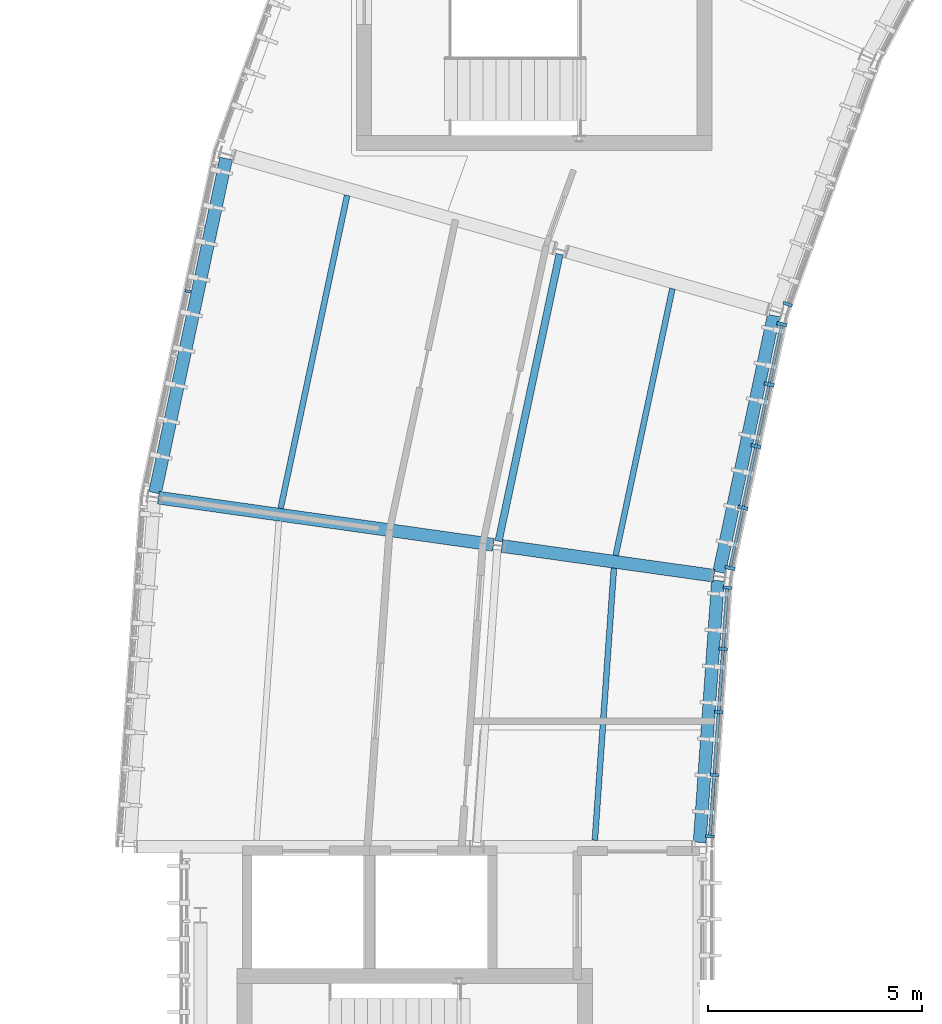
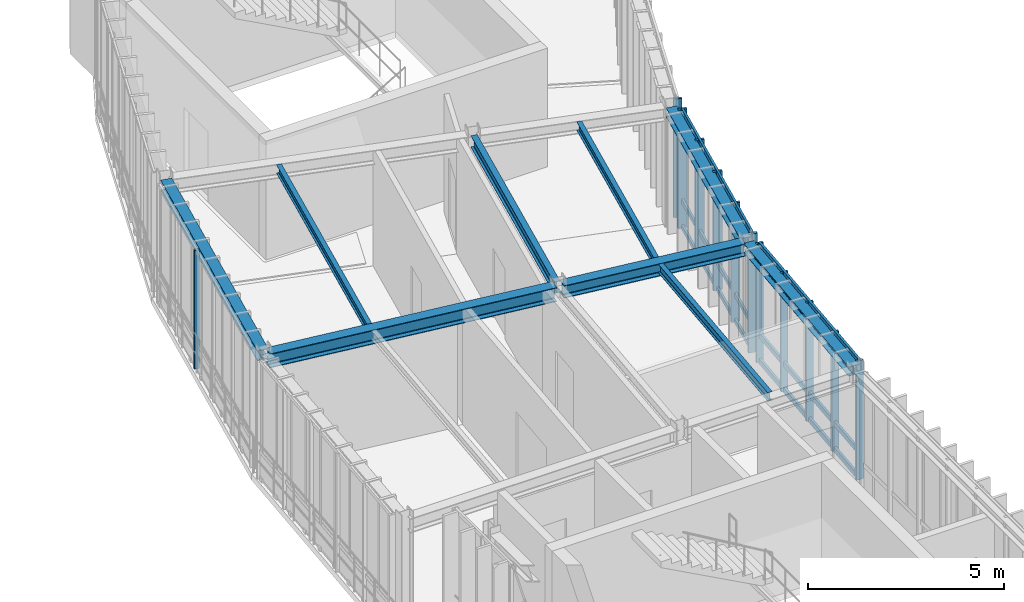
# One storey, part 9 of 41: 18 members, 9 beams, 4 elements without a shape of their own.
"""IFC4 building model written with IfcOpenShell, lengths in metres."""

from ifc_helpers import new_model, si_unit, direction, frame, origin, origin_2d, place, context, subcontext, project, spatial, rectangle, i_section, extrude, material, layer, layer_set, material_profile, profile_set, type_object, element, aggregate, save


model = new_model("IFC4")

# Units and contexts
model_context = context("Model", 3, precision=1e-05, world=origin(), true_north=direction((0.0, 1.0)))
body_context = subcontext(model_context, "Body", "Model", "MODEL_VIEW")
ifc_project = project(units=[si_unit("LENGTHUNIT", "METRE"), si_unit("AREAUNIT", "SQUARE_METRE"), si_unit("VOLUMEUNIT", "CUBIC_METRE"), si_unit("PLANEANGLEUNIT", "RADIAN"), si_unit("MASSUNIT", "GRAM", prefix="KILO"), si_unit("THERMODYNAMICTEMPERATUREUNIT", "KELVIN"), si_unit("POWERUNIT", "WATT")], contexts=[model_context])

# Site, building, storey
site_placement = place(None, origin())
site = spatial("IfcSite", under=ifc_project, at=site_placement, CompositionType="ELEMENT")
building_placement = place(site_placement, origin())
building = spatial("IfcBuilding", under=site, at=building_placement, Name="Solvatero Civic Police Headquarters", CompositionType="ELEMENT")
storey_placement = place(building_placement, frame((0.0, 0.0, 17.699951171875)))
storey = spatial("IfcBuildingStorey", under=building, at=storey_placement, Name="L04", CompositionType="ELEMENT", Elevation=17.699951171875)

# Beams
ifc_material_1 = material(Name="Steel S355", Category="steel")
ifc_material_profile_1 = material_profile(ifc_material_1, i_section(OverallWidth=0.300048828125, OverallDepth=0.2900390625, WebThickness=0.008544921875, FlangeThickness=0.013916015625, FilletRadius=0.027099609375, at=origin_2d()), Name="HEA 300")
ifc_profile_set_1 = profile_set([ifc_material_profile_1], Name="Steel S355")
beam_type_1 = type_object("IfcBeamType", Name="BM-ST-HEA300", PredefinedType="SPANDREL", material=ifc_profile_set_1)
beam_1_placement = place(storey_placement, frame((50.385986328125, 38.40234375, 3.554931640625), z_axis=(-0.207917848731, -0.978146291809, 0.0), x_axis=(0.978146291809, -0.207917848731, 0.0)))
element("IfcBeam", 1, at=beam_1_placement, inside=storey, type_object=beam_type_1, Name="Perimeter / radial spandrel beam BM-R2-L04-ARC-CIN-B11", PredefinedType="SPANDREL", context=body_context, shape_type="SweptSolid", body=[
    extrude(i_section(OverallWidth=0.300048828125, OverallDepth=0.2900390625, WebThickness=0.008544921875, FlangeThickness=0.013916015625, FilletRadius=0.027099609375, at=origin_2d()), origin(), (0.0, 0.0, 1.0), 6.126953125),
])
beam_2_placement = place(storey_placement, frame((49.084228515625, 32.211669921875, 3.554931640625), z_axis=(-0.069734750573, -0.997565569054, 0.0), x_axis=(0.997565569054, -0.069734750573, 0.0)))
element("IfcBeam", 2, at=beam_2_placement, inside=storey, type_object=beam_type_1, Name="Perimeter / radial spandrel beam BM-R2-L04-ARC-CIN-B12", PredefinedType="SPANDREL", context=body_context, shape_type="SweptSolid", body=[
    extrude(i_section(OverallWidth=0.300048828125, OverallDepth=0.2900390625, WebThickness=0.008544921875, FlangeThickness=0.013916015625, FilletRadius=0.027099609375, at=origin_2d()), origin(), (0.0, 0.0, 1.0), 6.126708984375),
])
ifc_material_profile_2 = material_profile(ifc_material_1, i_section(OverallWidth=0.300048828125, OverallDepth=0.31005859375, WebThickness=0.009033203125, FlangeThickness=0.015380859375, FilletRadius=0.027099609375, at=origin_2d()), Name="HEA 320")
ifc_profile_set_2 = profile_set([ifc_material_profile_2], Name="Steel S355")
beam_type_2 = type_object("IfcBeamType", Name="BM-ST-HEA320", PredefinedType="SPANDREL", material=ifc_profile_set_2)
beam_3_placement = place(storey_placement, frame((37.601318359375, 42.068359375, 3.545166015625), z_axis=(-0.207912160321, -0.978147500938, 0.0), x_axis=(0.978147500938, -0.207912160321, 0.0)))
element("IfcBeam", 3, at=beam_3_placement, inside=storey, type_object=beam_type_2, Name="Perimeter / radial spandrel beam BM-R2-L04-ARC-COUT-B11", PredefinedType="SPANDREL", context=body_context, shape_type="SweptSolid", body=[
    extrude(i_section(OverallWidth=0.300048828125, OverallDepth=0.31005859375, WebThickness=0.009033203125, FlangeThickness=0.015380859375, FilletRadius=0.027099609375, at=origin_2d()), origin(), (0.0, 0.0, 1.0), 7.982666015625),
])
ifc_material_profile_3 = material_profile(ifc_material_1, i_section(OverallWidth=0.300048828125, OverallDepth=0.389892578125, WebThickness=0.010986328125, FlangeThickness=0.01904296875, FilletRadius=0.027099609375, at=origin_2d()), Name="HEA 400")
ifc_profile_set_3 = profile_set([ifc_material_profile_3], Name="Steel S355")
beam_type_3 = type_object("IfcBeamType", Name="BM-ST-HEA400", PredefinedType="BEAM", material=ifc_profile_set_3)
beam_4_placement = place(storey_placement, frame((48.9921875, 32.325439453125, 3.505126953125), z_axis=(-0.990269200152, 0.139165050317, 0.0), x_axis=(-0.139165050317, -0.990269200152, 0.0)))
element("IfcBeam", 4, at=beam_4_placement, inside=storey, type_object=beam_type_3, Name="Primary girder BM-R2-L04-ARC-RAD1-S11", PredefinedType="BEAM", context=body_context, shape_type="SweptSolid", body=[
    extrude(i_section(OverallWidth=0.300048828125, OverallDepth=0.389892578125, WebThickness=0.010986328125, FlangeThickness=0.01904296875, FilletRadius=0.027099609375, at=origin_2d()), origin(), (0.0, 0.0, 1.0), 4.999755859375),
])
ifc_material_profile_4 = material_profile(ifc_material_1, i_section(OverallWidth=0.300048828125, OverallDepth=0.43994140625, WebThickness=0.011474609375, FlangeThickness=0.02099609375, FilletRadius=0.027099609375, at=origin_2d()), Name="HEA 450")
ifc_profile_set_4 = profile_set([ifc_material_profile_4], Name="Steel S355")
beam_type_4 = type_object("IfcBeamType", Name="BM-ST-HEA450", PredefinedType="BEAM", material=ifc_profile_set_4)
beam_5_placement = place(storey_placement, frame((43.843017578125, 33.049072265625, 3.47998046875), z_axis=(-0.990265898664, 0.139188540993, 0.0), x_axis=(-0.139188540993, -0.990265898664, 0.0)))
element("IfcBeam", 5, at=beam_5_placement, inside=storey, type_object=beam_type_4, Name="Primary girder BM-R2-L04-ARC-RAD2-S11", PredefinedType="BEAM", context=body_context, shape_type="SweptSolid", body=[
    extrude(i_section(OverallWidth=0.300048828125, OverallDepth=0.43994140625, WebThickness=0.011474609375, FlangeThickness=0.02099609375, FilletRadius=0.027099609375, at=origin_2d()), origin(), (0.0, 0.0, 1.0), 7.900146484375),
])
ifc_material_profile_5 = material_profile(ifc_material_1, i_section(OverallWidth=0.135009765625, OverallDepth=0.27001953125, WebThickness=0.006591796875, FlangeThickness=0.01025390625, FilletRadius=0.014892578125, at=origin_2d()), Name="IPE 270")
ifc_profile_set_5 = profile_set([ifc_material_profile_5], Name="Steel S355")
beam_type_5 = type_object("IfcBeamType", Name="BM-ST-IPE270", PredefinedType="BEAM", material=ifc_profile_set_5)
beam_6_placement = place(storey_placement, frame((48.0205078125, 39.02880859375, 3.56494140625), z_axis=(-0.207926610171, -0.978144429409, 0.0), x_axis=(0.978144429409, -0.207926610171, 0.0)))
element("IfcBeam", 6, at=beam_6_placement, inside=storey, type_object=beam_type_5, Name="Composite floor beam BM-R2-L04-ARC-CS1-B11", PredefinedType="BEAM", context=body_context, shape_type="SweptSolid", body=[
    extrude(i_section(OverallWidth=0.135009765625, OverallDepth=0.27001953125, WebThickness=0.006591796875, FlangeThickness=0.01025390625, FilletRadius=0.014892578125, at=origin_2d()), origin(), (0.0, 0.0, 1.0), 6.36865234375),
])
beam_7_placement = place(storey_placement, frame((40.426513671875, 41.206298828125, 3.56494140625), z_axis=(-0.207904092949, -0.97814921568, 0.0), x_axis=(0.97814921568, -0.207904092949, 0.0)))
element("IfcBeam", 7, at=beam_7_placement, inside=storey, type_object=beam_type_5, Name="Composite floor beam BM-R2-L04-ARC-CS2-B11", PredefinedType="BEAM", context=body_context, shape_type="SweptSolid", body=[
    extrude(i_section(OverallWidth=0.135009765625, OverallDepth=0.27001953125, WebThickness=0.006591796875, FlangeThickness=0.01025390625, FilletRadius=0.014892578125, at=origin_2d()), origin(), (0.0, 0.0, 1.0), 7.470947265625),
])
beam_8_placement = place(storey_placement, frame((46.65478515625, 32.5029296875, 3.56494140625), z_axis=(-0.069767710919, -0.997563264416, 0.0), x_axis=(0.997563264416, -0.069767710919, 0.0)))
element("IfcBeam", 8, at=beam_8_placement, inside=storey, type_object=beam_type_5, Name="Composite floor beam BM-R2-L04-ARC-CS1-B12", PredefinedType="BEAM", context=body_context, shape_type="SweptSolid", body=[
    extrude(i_section(OverallWidth=0.135009765625, OverallDepth=0.27001953125, WebThickness=0.006591796875, FlangeThickness=0.01025390625, FilletRadius=0.014892578125, at=origin_2d()), origin(), (0.0, 0.0, 1.0), 6.368896484375),
])
ifc_material_profile_6 = material_profile(ifc_material_1, i_section(OverallWidth=0.169921875, OverallDepth=0.360107421875, WebThickness=0.008056640625, FlangeThickness=0.0126953125, FilletRadius=0.01806640625, at=origin_2d()), Name="IPE 360")
ifc_profile_set_6 = profile_set([ifc_material_profile_6], Name="Steel S355")
beam_type_6 = type_object("IfcBeamType", Name="BM-ST-IPE360", PredefinedType="BEAM", material=ifc_profile_set_6)
beam_9_placement = place(storey_placement, frame((45.387451171875, 39.835693359375, 3.52001953125), z_axis=(-0.207927785808, -0.9781441795, 0.0), x_axis=(0.9781441795, -0.207927785808, 0.0)))
element("IfcBeam", 9, at=beam_9_placement, inside=storey, type_object=beam_type_6, Name="Composite floor beam BM-R2-L04-ARC-CMID-B11", PredefinedType="BEAM", context=body_context, shape_type="SweptSolid", body=[
    extrude(i_section(OverallWidth=0.169921875, OverallDepth=0.360107421875, WebThickness=0.008056640625, FlangeThickness=0.0126953125, FilletRadius=0.01806640625, at=origin_2d()), origin(), (0.0, 0.0, 1.0), 6.852294921875),
])

# Curtain wall, members
ifc_material_2 = material(Name="Anodized Bronze Aluminium", Category="aluminium")
ifc_layer_1 = layer(ifc_material_2, 0.179931640625)
ifc_layer_set_1 = layer_set([ifc_layer_1], Name="Anodized Bronze Aluminium")
curtain_wall_type_1 = type_object("IfcCurtainWallType", Name="CW-ARC-IN", PredefinedType="USERDEFINED", material=ifc_layer_set_1)
curtain_wall_1_placement = place(storey_placement, origin())
curtain_wall_1 = element("IfcCurtainWall", 10, at=curtain_wall_1_placement, inside=storey, type_object=curtain_wall_type_1, Name="Curtain Wall CW-R2-L04-ARC-IN-B11", ObjectType="UNITISED", PredefinedType="USERDEFINED")
ifc_material_profile_7 = material_profile(ifc_material_2, rectangle(XDim=0.080078125, YDim=0.239990234375, at=origin_2d()), Name="ALU MULLION 80x240")
ifc_profile_set_7 = profile_set([ifc_material_profile_7], Name="Anodized Bronze Aluminium")
member_type_1 = type_object("IfcMemberType", Name="CWM-140x60", PredefinedType="MULLION", material=ifc_profile_set_7)
member_1_placement = place(storey_placement, frame((50.5771484375, 38.1982421875, 0.0), z_axis=(0.0, 0.0, 1.0), x_axis=(-0.207911690818, -0.978147600734, 0.0)))
member_1 = element("IfcMember", 11, at=member_1_placement, type_object=member_type_1, Name="CW-R2-L04-ARC-IN-B11 Mullion 1", PredefinedType="MULLION", context=body_context, shape_type="SweptSolid", body=[
    extrude(rectangle(XDim=0.080078125, YDim=0.239990234375, at=origin_2d()), origin(), (0.0, 0.0, 1.0), 3.699951171875),
])
member_2_placement = place(storey_placement, frame((50.279052734375, 36.79541015625, 0.0), z_axis=(0.0, 0.0, 1.0), x_axis=(-0.207911690818, -0.978147600734, 0.0)))
member_2 = element("IfcMember", 12, at=member_2_placement, type_object=member_type_1, Name="CW-R2-L04-ARC-IN-B11 Mullion 2", PredefinedType="MULLION", context=body_context, shape_type="SweptSolid", body=[
    extrude(rectangle(XDim=0.080078125, YDim=0.239990234375, at=origin_2d()), origin(), (0.0, 0.0, 1.0), 3.699951171875),
])
member_3_placement = place(storey_placement, frame((49.972412109375, 35.353271484375, 0.0), z_axis=(0.0, 0.0, 1.0), x_axis=(-0.207911690818, -0.978147600734, 0.0)))
member_3 = element("IfcMember", 13, at=member_3_placement, type_object=member_type_1, Name="CW-R2-L04-ARC-IN-B11 Mullion 3", PredefinedType="MULLION", context=body_context, shape_type="SweptSolid", body=[
    extrude(rectangle(XDim=0.080078125, YDim=0.239990234375, at=origin_2d()), origin(), (0.0, 0.0, 1.0), 3.699951171875),
])
member_4_placement = place(storey_placement, frame((49.666015625, 33.9111328125, 0.0), z_axis=(0.0, 0.0, 1.0), x_axis=(-0.207911690818, -0.978147600734, 0.0)))
member_4 = element("IfcMember", 14, at=member_4_placement, type_object=member_type_1, Name="CW-R2-L04-ARC-IN-B11 Mullion 4", PredefinedType="MULLION", context=body_context, shape_type="SweptSolid", body=[
    extrude(rectangle(XDim=0.080078125, YDim=0.239990234375, at=origin_2d()), origin(), (0.0, 0.0, 1.0), 3.699951171875),
])
member_5_placement = place(storey_placement, frame((49.36767578125, 32.50830078125, 0.0), z_axis=(0.0, 0.0, 1.0), x_axis=(-0.207911690818, -0.978147600734, 0.0)))
member_5 = element("IfcMember", 15, at=member_5_placement, type_object=member_type_1, Name="CW-R2-L04-ARC-IN-B11 Mullion 5", PredefinedType="MULLION", context=body_context, shape_type="SweptSolid", body=[
    extrude(rectangle(XDim=0.080078125, YDim=0.239990234375, at=origin_2d()), origin(), (0.0, 0.0, 1.0), 3.699951171875),
])

# Curtain wall, member
ifc_layer_2 = layer(ifc_material_2, 0.179931640625)
ifc_layer_set_2 = layer_set([ifc_layer_2], Name="Anodized Bronze Aluminium")
curtain_wall_type_2 = type_object("IfcCurtainWallType", Name="CW-ARC-OUT", PredefinedType="USERDEFINED", material=ifc_layer_set_2)
curtain_wall_2_placement = place(storey_placement, origin())
curtain_wall_2 = element("IfcCurtainWall", 16, at=curtain_wall_2_placement, inside=storey, type_object=curtain_wall_type_2, Name="Curtain Wall CW-R2-L04-ARC-OUT-B11", ObjectType="UNITISED", PredefinedType="USERDEFINED")
ifc_material_profile_8 = material_profile(ifc_material_2, rectangle(XDim=0.06005859375, YDim=0.139892578125, at=origin_2d()), Name="ALU MULLION 60x140")
ifc_profile_set_8 = profile_set([ifc_material_profile_8], Name="Anodized Bronze Aluminium")
member_type_2 = type_object("IfcMemberType", Name="CWM-160x65", PredefinedType="MULLION", material=ifc_profile_set_8)
member_6_placement = place(storey_placement, frame((36.70703125, 38.965576171875, 0.0), z_axis=(0.0, 0.0, 1.0), x_axis=(-0.207911690818, -0.978147600734, 0.0)))
member_6 = element("IfcMember", 17, at=member_6_placement, type_object=member_type_2, Name="CW-R2-L04-ARC-OUT-B11 Mullion 3", PredefinedType="MULLION", context=body_context, shape_type="SweptSolid", body=[
    extrude(rectangle(XDim=0.06005859375, YDim=0.139892578125, at=origin_2d()), origin(), (0.0, 0.0, 1.0), 3.699951171875),
])
aggregate(curtain_wall_2, [member_6])

# Curtain wall, members
curtain_wall_3_placement = place(storey_placement, origin())
curtain_wall_3 = element("IfcCurtainWall", 18, at=curtain_wall_3_placement, inside=storey, type_object=curtain_wall_type_1, Name="Curtain Wall CW-R2-L04-ARC-IN-B12", ObjectType="UNITISED", PredefinedType="USERDEFINED")
ifc_material_profile_9 = material_profile(ifc_material_2, rectangle(XDim=0.070068359375, YDim=0.199951171875, at=origin_2d()), Name="ALU MULLION 70x200")
ifc_profile_set_9 = profile_set([ifc_material_profile_9], Name="Anodized Bronze Aluminium")
member_type_3 = type_object("IfcMemberType", Name="CWM-220x80", PredefinedType="MULLION", material=ifc_profile_set_9)
member_7_placement = place(storey_placement, frame((49.302734375, 32.046142578125, 0.0), z_axis=(0.0, 0.0, 1.0), x_axis=(-0.069773884511, -0.997562832628, 0.0)))
member_7 = element("IfcMember", 19, at=member_7_placement, type_object=member_type_3, Name="CW-R2-L04-ARC-IN-B12 Mullion 1", PredefinedType="MULLION", context=body_context, shape_type="SweptSolid", body=[
    extrude(rectangle(XDim=0.070068359375, YDim=0.199951171875, at=origin_2d()), origin(), (0.0, 0.0, 1.0), 3.699951171875),
])
member_8_placement = place(storey_placement, frame((49.202880859375, 30.615478515625, 0.0), z_axis=(0.0, 0.0, 1.0), x_axis=(-0.069773884511, -0.997562832628, 0.0)))
member_8 = element("IfcMember", 20, at=member_8_placement, type_object=member_type_3, Name="CW-R2-L04-ARC-IN-B12 Mullion 2", PredefinedType="MULLION", context=body_context, shape_type="SweptSolid", body=[
    extrude(rectangle(XDim=0.070068359375, YDim=0.199951171875, at=origin_2d()), origin(), (0.0, 0.0, 1.0), 3.699951171875),
])
member_9_placement = place(storey_placement, frame((49.099853515625, 29.144775390625, 0.0), z_axis=(0.0, 0.0, 1.0), x_axis=(-0.069773884511, -0.997562832628, 0.0)))
member_9 = element("IfcMember", 21, at=member_9_placement, type_object=member_type_3, Name="CW-R2-L04-ARC-IN-B12 Mullion 3", PredefinedType="MULLION", context=body_context, shape_type="SweptSolid", body=[
    extrude(rectangle(XDim=0.070068359375, YDim=0.199951171875, at=origin_2d()), origin(), (0.0, 0.0, 1.0), 3.699951171875),
])
member_10_placement = place(storey_placement, frame((48.9970703125, 27.674072265625, 0.0), z_axis=(0.0, 0.0, 1.0), x_axis=(-0.069773884511, -0.997562832628, 0.0)))
member_10 = element("IfcMember", 22, at=member_10_placement, type_object=member_type_3, Name="CW-R2-L04-ARC-IN-B12 Mullion 4", PredefinedType="MULLION", context=body_context, shape_type="SweptSolid", body=[
    extrude(rectangle(XDim=0.070068359375, YDim=0.199951171875, at=origin_2d()), origin(), (0.0, 0.0, 1.0), 3.699951171875),
])
member_11_placement = place(storey_placement, frame((48.897216796875, 26.243408203125, 0.0), z_axis=(0.0, 0.0, 1.0), x_axis=(-0.069773884511, -0.997562832628, 0.0)))
member_11 = element("IfcMember", 23, at=member_11_placement, type_object=member_type_3, Name="CW-R2-L04-ARC-IN-B12 Mullion 5", PredefinedType="MULLION", context=body_context, shape_type="SweptSolid", body=[
    extrude(rectangle(XDim=0.070068359375, YDim=0.199951171875, at=origin_2d()), origin(), (0.0, 0.0, 1.0), 3.699951171875),
])

# Curtain wall, member
curtain_wall_4_placement = place(storey_placement, origin())
curtain_wall_4 = element("IfcCurtainWall", 24, at=curtain_wall_4_placement, inside=storey, type_object=curtain_wall_type_1, Name="Curtain Wall CW-R2-L04-ARC-IN-B10", ObjectType="UNITISED", PredefinedType="USERDEFINED")
ifc_material_profile_10 = material_profile(ifc_material_2, rectangle(XDim=0.074951171875, YDim=0.219970703125, at=origin_2d()), Name="ALU MULLION 75x220")
ifc_profile_set_10 = profile_set([ifc_material_profile_10], Name="Anodized Bronze Aluminium")
member_type_4 = type_object("IfcMemberType", Name="CWM-250x85", PredefinedType="MULLION", material=ifc_profile_set_10)
member_12_placement = place(storey_placement, frame((50.711181640625, 38.666015625, 0.0), z_axis=(0.0, 0.0, 1.0), x_axis=(-0.342003742543, -0.93969859002, 0.0)))
member_12 = element("IfcMember", 25, at=member_12_placement, type_object=member_type_4, Name="CW-R2-L04-ARC-IN-B10 Mullion 5", PredefinedType="MULLION", context=body_context, shape_type="SweptSolid", body=[
    extrude(rectangle(XDim=0.074951171875, YDim=0.219970703125, at=origin_2d()), origin(), (0.0, 0.0, 1.0), 3.699951171875),
])
aggregate(curtain_wall_4, [member_12])

# Member
ifc_material_profile_11 = material_profile(ifc_material_2, rectangle(XDim=0.070068359375, YDim=0.159912109375, at=origin_2d()), Name="ALU TRANSOM 70x160")
ifc_profile_set_11 = profile_set([ifc_material_profile_11], Name="Anodized Bronze Aluminium")
member_type_5 = type_object("IfcMemberType", Name="CWT-120x55", PredefinedType="USERDEFINED", material=ifc_profile_set_11)
member_13_placement = place(storey_placement, frame((49.302001953125, 32.0361328125, 0.0400390625), z_axis=(-0.069744467509, -0.997564889745, 0.0), x_axis=(0.997564889745, -0.069744467509, 0.0)))
member_13 = element("IfcMember", 26, at=member_13_placement, type_object=member_type_5, Name="CW-R2-L04-ARC-IN-B12 Transom 1", ObjectType="TRANSOM", PredefinedType="USERDEFINED", context=body_context, shape_type="SweptSolid", body=[
    extrude(rectangle(XDim=0.070068359375, YDim=0.159912109375, at=origin_2d()), origin(), (0.0, 0.0, 1.0), 5.796875),
])

member_14_placement = place(storey_placement, frame((49.302001953125, 32.0361328125, 0.85009765625), z_axis=(-0.069744467509, -0.997564889745, 0.0), x_axis=(0.997564889745, -0.069744467509, 0.0)))
member_14 = element("IfcMember", 27, at=member_14_placement, type_object=member_type_5, Name="CW-R2-L04-ARC-IN-B12 Transom 2", ObjectType="TRANSOM", PredefinedType="USERDEFINED", context=body_context, shape_type="SweptSolid", body=[
    extrude(rectangle(XDim=0.070068359375, YDim=0.159912109375, at=origin_2d()), origin(), (0.0, 0.0, 1.0), 5.796875),
])

member_15_placement = place(storey_placement, frame((49.302001953125, 32.0361328125, 3.66015625), z_axis=(-0.069744467509, -0.997564889745, 0.0), x_axis=(0.997564889745, -0.069744467509, 0.0)))
member_15 = element("IfcMember", 28, at=member_15_placement, type_object=member_type_5, Name="CW-R2-L04-ARC-IN-B12 Transom 3", ObjectType="TRANSOM", PredefinedType="USERDEFINED", context=body_context, shape_type="SweptSolid", body=[
    extrude(rectangle(XDim=0.070068359375, YDim=0.159912109375, at=origin_2d()), origin(), (0.0, 0.0, 1.0), 5.796875),
])

aggregate(curtain_wall_3, [member_7, member_8, member_9, member_10, member_11, member_13, member_14, member_15])

ifc_material_profile_12 = material_profile(ifc_material_2, rectangle(XDim=0.06494140625, YDim=0.139892578125, at=origin_2d()), Name="ALU TRANSOM 65x140")
ifc_profile_set_12 = profile_set([ifc_material_profile_12], Name="Anodized Bronze Aluminium")
member_type_6 = type_object("IfcMemberType", Name="CWT-180x70", PredefinedType="USERDEFINED", material=ifc_profile_set_12)
member_16_placement = place(storey_placement, frame((50.5751953125, 38.1884765625, 0.0400390625), z_axis=(-0.207918190148, -0.978146219236, 0.0), x_axis=(0.978146219236, -0.207918190148, 0.0)))
member_16 = element("IfcMember", 29, at=member_16_placement, type_object=member_type_6, Name="CW-R2-L04-ARC-IN-B11 Transom 1", ObjectType="TRANSOM", PredefinedType="USERDEFINED", context=body_context, shape_type="SweptSolid", body=[
    extrude(rectangle(XDim=0.06494140625, YDim=0.139892578125, at=origin_2d()), origin(), (0.0, 0.0, 1.0), 5.797119140625),
])

member_17_placement = place(storey_placement, frame((50.5751953125, 38.1884765625, 0.85009765625), z_axis=(-0.207918190148, -0.978146219236, 0.0), x_axis=(0.978146219236, -0.207918190148, 0.0)))
member_17 = element("IfcMember", 30, at=member_17_placement, type_object=member_type_6, Name="CW-R2-L04-ARC-IN-B11 Transom 2", ObjectType="TRANSOM", PredefinedType="USERDEFINED", context=body_context, shape_type="SweptSolid", body=[
    extrude(rectangle(XDim=0.06494140625, YDim=0.139892578125, at=origin_2d()), origin(), (0.0, 0.0, 1.0), 5.797119140625),
])

member_18_placement = place(storey_placement, frame((50.5751953125, 38.1884765625, 3.66015625), z_axis=(-0.207918190148, -0.978146219236, 0.0), x_axis=(0.978146219236, -0.207918190148, 0.0)))
member_18 = element("IfcMember", 31, at=member_18_placement, type_object=member_type_6, Name="CW-R2-L04-ARC-IN-B11 Transom 3", ObjectType="TRANSOM", PredefinedType="USERDEFINED", context=body_context, shape_type="SweptSolid", body=[
    extrude(rectangle(XDim=0.06494140625, YDim=0.139892578125, at=origin_2d()), origin(), (0.0, 0.0, 1.0), 5.797119140625),
])

aggregate(curtain_wall_1, [member_1, member_2, member_3, member_4, member_5, member_16, member_17, member_18])

save(model, "model.ifc")
